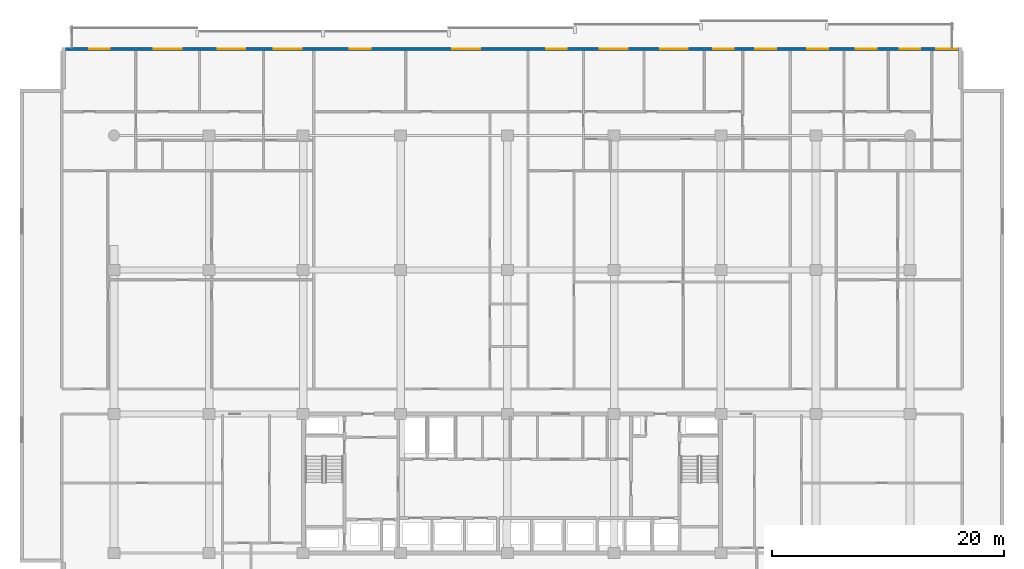
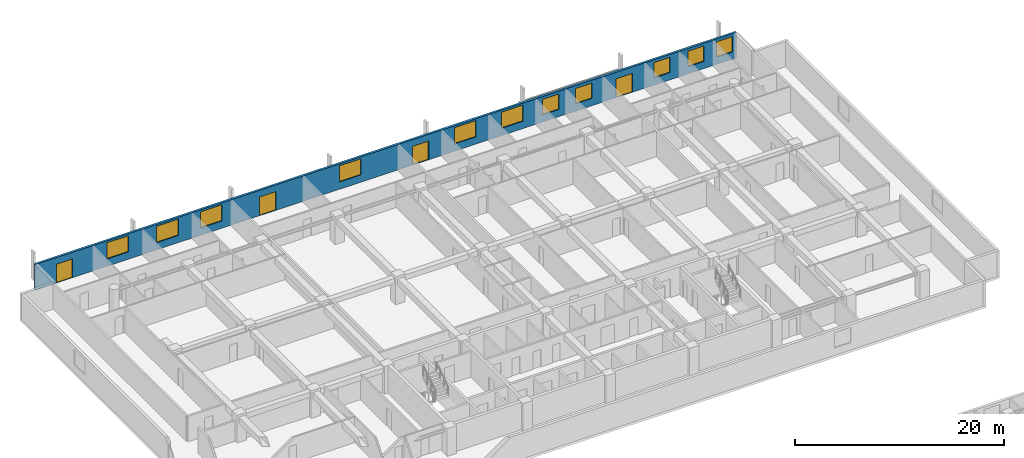
# One storey, part 16 of 23: 11 windows, 4 doors, 1 wall, 15 openings.
"""IFC4 building model written with IfcOpenShell, lengths in metres."""

from ifc_helpers import new_model, si_unit, direction, frame, frame_2d, origin, place, context, subcontext, project, spatial, rectangle, extrude, material, layer, layer_set, type_object, element, fill, save


model = new_model("IFC4")

# Units and contexts
model_context = context("Model", 3, precision=1e-05, world=origin(), true_north=direction((0.0, 1.0)))
body_context = subcontext(model_context, "Body", "Model", "MODEL_VIEW")
ifc_project = project(units=[si_unit("LENGTHUNIT", "METRE"), si_unit("AREAUNIT", "SQUARE_METRE"), si_unit("VOLUMEUNIT", "CUBIC_METRE"), si_unit("PLANEANGLEUNIT", "RADIAN"), si_unit("MASSUNIT", "GRAM", prefix="KILO")], contexts=[model_context])

# Site, building, storey
site_placement = place(None, origin())
site = spatial("IfcSite", under=ifc_project, at=site_placement, CompositionType="ELEMENT")
building_placement = place(site_placement, origin())
building = spatial("IfcBuilding", under=site, at=building_placement, Name="Korimba Cascade Residences", CompositionType="ELEMENT")
storey_placement = place(building_placement, frame((0.0, 0.0, 59.75)))
storey = spatial("IfcBuildingStorey", under=building, at=storey_placement, Name="L16", CompositionType="ELEMENT", Elevation=59.75)

# Wall, openings, doors, windows
ifc_material_1 = material(Name="Precast concrete C40/50", Category="concrete")
ifc_layer = layer(ifc_material_1, 0.25)
ifc_layer_set = layer_set([ifc_layer], Name="Precast concrete C40/50")
wall_type = type_object("IfcWallType", Name="EW-LOG-250", PredefinedType="STANDARD", material=ifc_layer_set)
wall_placement = place(storey_placement, frame((132.89990234375, 98.64990234375, 0.0), z_axis=(0.0, 0.0, 1.0), x_axis=(-1.0, 0.0, 0.0)))
wall = element("IfcWall", 1, at=wall_placement, inside=storey, type_object=wall_type, Name="L16 T1 Perimeter Stone Wall E06", PredefinedType="STANDARD", context=body_context, shape_type="SweptSolid", body=[
    extrude(rectangle(XDim=77.599853515625, YDim=0.25, at=frame_2d((38.7998046875, 0.0))), origin(), (0.0, 0.0, 1.0), 2.969970703125),
])
opening_1_placement = place(wall_placement, frame((67.271728515625, 0.0, 0.85009765625)))
opening_1 = element("IfcOpeningElement", 2, at=opening_1_placement, cuts=wall, Name="Opening W-01", PredefinedType="OPENING", context=body_context, shape_type="SweptSolid", body=[
    extrude(rectangle(XDim=2.39990234375, YDim=1.89990234375, at=frame_2d((1.199951171875, 0.949951171875))), frame((0.0, 0.135009765625, 0.0), z_axis=(0.0, -1.0, 0.0), x_axis=(1.0, 0.0, 0.0)), (0.0, 0.0, 1.0), 0.27001953125),
])
opening_2_placement = place(wall_placement, frame((61.77490234375, 0.0, 0.85009765625)))
opening_2 = element("IfcOpeningElement", 3, at=opening_2_placement, cuts=wall, Name="Opening W-01", PredefinedType="OPENING", context=body_context, shape_type="SweptSolid", body=[
    extrude(rectangle(XDim=2.39990234375, YDim=1.89990234375, at=frame_2d((1.199951171875, 0.949951171875))), frame((0.0, 0.135009765625, 0.0), z_axis=(0.0, -1.0, 0.0), x_axis=(1.0, 0.0, 0.0)), (0.0, 0.0, 1.0), 0.27001953125),
])
opening_3_placement = place(wall_placement, frame((73.449951171875, 0.0, 0.0)))
opening_3 = element("IfcOpeningElement", 4, at=opening_3_placement, cuts=wall, Name="Opening D-LG1", PredefinedType="OPENING", context=body_context, shape_type="SweptSolid", body=[
    extrude(rectangle(XDim=1.800048828125, YDim=2.199951171875, at=frame_2d((0.89990234375, 1.10009765625))), frame((0.0, 0.135009765625, 0.0), z_axis=(0.0, -1.0, 0.0), x_axis=(1.0, 0.0, 0.0)), (0.0, 0.0, 1.0), 0.27001953125),
])
opening_4_placement = place(wall_placement, frame((56.92138671875, 0.0, 0.85009765625)))
opening_4 = element("IfcOpeningElement", 5, at=opening_4_placement, cuts=wall, Name="Opening W-01", PredefinedType="OPENING", context=body_context, shape_type="SweptSolid", body=[
    extrude(rectangle(XDim=2.39990234375, YDim=1.89990234375, at=frame_2d((1.199951171875, 0.949951171875))), frame((0.0, 0.135009765625, 0.0), z_axis=(0.0, -1.0, 0.0), x_axis=(1.0, 0.0, 0.0)), (0.0, 0.0, 1.0), 0.27001953125),
])
opening_5_placement = place(wall_placement, frame((50.970703125, 0.0, 0.0)))
opening_5 = element("IfcOpeningElement", 6, at=opening_5_placement, cuts=wall, Name="Opening D-LG1", PredefinedType="OPENING", context=body_context, shape_type="SweptSolid", body=[
    extrude(rectangle(XDim=1.800048828125, YDim=2.199951171875, at=frame_2d((0.89990234375, 1.10009765625))), frame((0.0, 0.135009765625, 0.0), z_axis=(0.0, -1.0, 0.0), x_axis=(1.0, 0.0, 0.0)), (0.0, 0.0, 1.0), 0.27001953125),
])
opening_6_placement = place(wall_placement, frame((41.5537109375, 0.0, 0.85009765625)))
opening_6 = element("IfcOpeningElement", 7, at=opening_6_placement, cuts=wall, Name="Opening W-01", PredefinedType="OPENING", context=body_context, shape_type="SweptSolid", body=[
    extrude(rectangle(XDim=2.39990234375, YDim=1.89990234375, at=frame_2d((1.199951171875, 0.949951171875))), frame((0.0, 0.135009765625, 0.0), z_axis=(0.0, -1.0, 0.0), x_axis=(1.0, 0.0, 0.0)), (0.0, 0.0, 1.0), 0.27001953125),
])
opening_7_placement = place(wall_placement, frame((28.832763671875, 0.0, 0.85009765625)))
opening_7 = element("IfcOpeningElement", 8, at=opening_7_placement, cuts=wall, Name="Opening W-01", PredefinedType="OPENING", context=body_context, shape_type="SweptSolid", body=[
    extrude(rectangle(XDim=2.39990234375, YDim=1.89990234375, at=frame_2d((1.199951171875, 0.949951171875))), frame((0.0, 0.135009765625, 0.0), z_axis=(0.0, -1.0, 0.0), x_axis=(1.0, 0.0, 0.0)), (0.0, 0.0, 1.0), 0.27001953125),
])
opening_8_placement = place(wall_placement, frame((23.6328125, 0.0, 0.85009765625)))
opening_8 = element("IfcOpeningElement", 9, at=opening_8_placement, cuts=wall, Name="Opening W-01", PredefinedType="OPENING", context=body_context, shape_type="SweptSolid", body=[
    extrude(rectangle(XDim=2.39990234375, YDim=1.89990234375, at=frame_2d((1.199951171875, 0.949951171875))), frame((0.0, 0.135009765625, 0.0), z_axis=(0.0, -1.0, 0.0), x_axis=(1.0, 0.0, 0.0)), (0.0, 0.0, 1.0), 0.27001953125),
])
opening_9_placement = place(wall_placement, frame((19.67626953125, 0.0, 0.85009765625)))
opening_9 = element("IfcOpeningElement", 10, at=opening_9_placement, cuts=wall, Name="Opening W-02", PredefinedType="OPENING", context=body_context, shape_type="SweptSolid", body=[
    extrude(rectangle(XDim=1.800048828125, YDim=1.800048828125, at=frame_2d((0.89990234375, 0.89990234375))), frame((0.0, 0.135009765625, 0.0), z_axis=(0.0, -1.0, 0.0), x_axis=(1.0, 0.0, 0.0)), (0.0, 0.0, 1.0), 0.27001953125),
])
opening_10_placement = place(wall_placement, frame((34.067626953125, 0.0, 0.0)))
opening_10 = element("IfcOpeningElement", 11, at=opening_10_placement, cuts=wall, Name="Opening D-LG1", PredefinedType="OPENING", context=body_context, shape_type="SweptSolid", body=[
    extrude(rectangle(XDim=1.800048828125, YDim=2.199951171875, at=frame_2d((0.89990234375, 1.10009765625))), frame((0.0, 0.135009765625, 0.0), z_axis=(0.0, -1.0, 0.0), x_axis=(1.0, 0.0, 0.0)), (0.0, 0.0, 1.0), 0.27001953125),
])
opening_11_placement = place(wall_placement, frame((16.0283203125, 0.0, 0.85009765625)))
opening_11 = element("IfcOpeningElement", 12, at=opening_11_placement, cuts=wall, Name="Opening W-02", PredefinedType="OPENING", context=body_context, shape_type="SweptSolid", body=[
    extrude(rectangle(XDim=1.800048828125, YDim=1.800048828125, at=frame_2d((0.89990234375, 0.89990234375))), frame((0.0, 0.135009765625, 0.0), z_axis=(0.0, -1.0, 0.0), x_axis=(1.0, 0.0, 0.0)), (0.0, 0.0, 1.0), 0.27001953125),
])
opening_12_placement = place(wall_placement, frame((7.379150390625, 0.0, 0.85009765625)))
opening_12 = element("IfcOpeningElement", 13, at=opening_12_placement, cuts=wall, Name="Opening W-02", PredefinedType="OPENING", context=body_context, shape_type="SweptSolid", body=[
    extrude(rectangle(XDim=1.800048828125, YDim=1.800048828125, at=frame_2d((0.89990234375, 0.89990234375))), frame((0.0, 0.135009765625, 0.0), z_axis=(0.0, -1.0, 0.0), x_axis=(1.0, 0.0, 0.0)), (0.0, 0.0, 1.0), 0.27001953125),
])
opening_13_placement = place(wall_placement, frame((3.60009765625, 0.0, 0.85009765625)))
opening_13 = element("IfcOpeningElement", 14, at=opening_13_placement, cuts=wall, Name="Opening W-02", PredefinedType="OPENING", context=body_context, shape_type="SweptSolid", body=[
    extrude(rectangle(XDim=1.800048828125, YDim=1.800048828125, at=frame_2d((0.89990234375, 0.89990234375))), frame((0.0, 0.135009765625, 0.0), z_axis=(0.0, -1.0, 0.0), x_axis=(1.0, 0.0, 0.0)), (0.0, 0.0, 1.0), 0.27001953125),
])
opening_14_placement = place(wall_placement, frame((11.53759765625, 0.0, 0.0)))
opening_14 = element("IfcOpeningElement", 15, at=opening_14_placement, cuts=wall, Name="Opening D-LG1", PredefinedType="OPENING", context=body_context, shape_type="SweptSolid", body=[
    extrude(rectangle(XDim=1.800048828125, YDim=2.199951171875, at=frame_2d((0.89990234375, 1.10009765625))), frame((0.0, 0.135009765625, 0.0), z_axis=(0.0, -1.0, 0.0), x_axis=(1.0, 0.0, 0.0)), (0.0, 0.0, 1.0), 0.27001953125),
])
opening_15_placement = place(wall_placement, frame((0.445068359375, 0.0, 0.85009765625)))
opening_15 = element("IfcOpeningElement", 16, at=opening_15_placement, cuts=wall, Name="Opening W-02", PredefinedType="OPENING", context=body_context, shape_type="SweptSolid", body=[
    extrude(rectangle(XDim=1.800048828125, YDim=1.800048828125, at=frame_2d((0.89990234375, 0.89990234375))), frame((0.0, 0.135009765625, 0.0), z_axis=(0.0, -1.0, 0.0), x_axis=(1.0, 0.0, 0.0)), (0.0, 0.0, 1.0), 0.27001953125),
])
ifc_material_2 = material(Name="Glazed Aluminium Loggia Sliding Door", Category="aluminium")
door_type = type_object("IfcDoorType", Name="DR-EXT-LOG", OperationType="NOTDEFINED", PredefinedType="DOOR", material=ifc_material_2)
door_1_placement = place(opening_3_placement, origin())
door_1 = element("IfcDoor", 17, at=door_1_placement, inside=storey, type_object=door_type, Name="L16 T1 Loggia Sliding Door 5", OperationType="SLIDING_TO_LEFT", OverallHeight=2.199951171875, OverallWidth=1.800048828125, PredefinedType="DOOR", context=body_context, shape_type="SweptSolid", body=[
    extrude(rectangle(XDim=1.800048828125, YDim=2.199951171875, at=frame_2d((0.89990234375, 1.10009765625))), frame((0.0, 0.02490234375, 0.0), z_axis=(0.0, -1.0, 0.0), x_axis=(1.0, 0.0, 0.0)), (0.0, 0.0, 1.0), 0.050048828125),
])
fill(opening_3, door_1)
door_2_placement = place(opening_5_placement, origin())
door_2 = element("IfcDoor", 18, at=door_2_placement, inside=storey, type_object=door_type, Name="L16 T1 Loggia Sliding Door 7", OperationType="SLIDING_TO_LEFT", OverallHeight=2.199951171875, OverallWidth=1.800048828125, PredefinedType="DOOR", context=body_context, shape_type="SweptSolid", body=[
    extrude(rectangle(XDim=1.800048828125, YDim=2.199951171875, at=frame_2d((0.89990234375, 1.10009765625))), frame((0.0, 0.02490234375, 0.0), z_axis=(0.0, -1.0, 0.0), x_axis=(1.0, 0.0, 0.0)), (0.0, 0.0, 1.0), 0.050048828125),
])
fill(opening_5, door_2)
door_3_placement = place(opening_10_placement, origin())
door_3 = element("IfcDoor", 19, at=door_3_placement, inside=storey, type_object=door_type, Name="L16 T1 Loggia Sliding Door 12", OperationType="SLIDING_TO_LEFT", OverallHeight=2.199951171875, OverallWidth=1.800048828125, PredefinedType="DOOR", context=body_context, shape_type="SweptSolid", body=[
    extrude(rectangle(XDim=1.800048828125, YDim=2.199951171875, at=frame_2d((0.89990234375, 1.10009765625))), frame((0.0, 0.02490234375, 0.0), z_axis=(0.0, -1.0, 0.0), x_axis=(1.0, 0.0, 0.0)), (0.0, 0.0, 1.0), 0.050048828125),
])
fill(opening_10, door_3)
door_4_placement = place(opening_14_placement, origin())
door_4 = element("IfcDoor", 20, at=door_4_placement, inside=storey, type_object=door_type, Name="L16 T1 Loggia Sliding Door 16", OperationType="SLIDING_TO_LEFT", OverallHeight=2.199951171875, OverallWidth=1.800048828125, PredefinedType="DOOR", context=body_context, shape_type="SweptSolid", body=[
    extrude(rectangle(XDim=1.800048828125, YDim=2.199951171875, at=frame_2d((0.89990234375, 1.10009765625))), frame((0.0, 0.02490234375, 0.0), z_axis=(0.0, -1.0, 0.0), x_axis=(1.0, 0.0, 0.0)), (0.0, 0.0, 1.0), 0.050048828125),
])
fill(opening_14, door_4)
ifc_material_3 = material(Name="Double-Glazed Aluminium Window", Category="aluminium")
window_type_1 = type_object("IfcWindowType", Name="WIN-BED-1800", PartitioningType="SINGLE_PANEL", PredefinedType="WINDOW", material=ifc_material_3)
window_1_placement = place(opening_9_placement, origin())
window_1 = element("IfcWindow", 21, at=window_1_placement, inside=storey, type_object=window_type_1, Name="L16 T1 North Facade Window 11", OverallHeight=1.800048828125, OverallWidth=1.800048828125, PartitioningType="SINGLE_PANEL", PredefinedType="WINDOW", context=body_context, shape_type="SweptSolid", body=[
    extrude(rectangle(XDim=1.800048828125, YDim=1.800048828125, at=frame_2d((0.89990234375, 0.89990234375))), frame((0.0, 0.030029296875, 0.0), z_axis=(0.0, -1.0, 0.0), x_axis=(1.0, 0.0, 0.0)), (0.0, 0.0, 1.0), 0.06005859375),
])
fill(opening_9, window_1)
window_2_placement = place(opening_11_placement, origin())
window_2 = element("IfcWindow", 22, at=window_2_placement, inside=storey, type_object=window_type_1, Name="L16 T1 North Facade Window 13", OverallHeight=1.800048828125, OverallWidth=1.800048828125, PartitioningType="SINGLE_PANEL", PredefinedType="WINDOW", context=body_context, shape_type="SweptSolid", body=[
    extrude(rectangle(XDim=1.800048828125, YDim=1.800048828125, at=frame_2d((0.89990234375, 0.89990234375))), frame((0.0, 0.030029296875, 0.0), z_axis=(0.0, -1.0, 0.0), x_axis=(1.0, 0.0, 0.0)), (0.0, 0.0, 1.0), 0.06005859375),
])
fill(opening_11, window_2)
window_3_placement = place(opening_12_placement, origin())
window_3 = element("IfcWindow", 23, at=window_3_placement, inside=storey, type_object=window_type_1, Name="L16 T1 North Facade Window 14", OverallHeight=1.800048828125, OverallWidth=1.800048828125, PartitioningType="SINGLE_PANEL", PredefinedType="WINDOW", context=body_context, shape_type="SweptSolid", body=[
    extrude(rectangle(XDim=1.800048828125, YDim=1.800048828125, at=frame_2d((0.89990234375, 0.89990234375))), frame((0.0, 0.030029296875, 0.0), z_axis=(0.0, -1.0, 0.0), x_axis=(1.0, 0.0, 0.0)), (0.0, 0.0, 1.0), 0.06005859375),
])
fill(opening_12, window_3)
window_4_placement = place(opening_13_placement, origin())
window_4 = element("IfcWindow", 24, at=window_4_placement, inside=storey, type_object=window_type_1, Name="L16 T1 North Facade Window 15", OverallHeight=1.800048828125, OverallWidth=1.800048828125, PartitioningType="SINGLE_PANEL", PredefinedType="WINDOW", context=body_context, shape_type="SweptSolid", body=[
    extrude(rectangle(XDim=1.800048828125, YDim=1.800048828125, at=frame_2d((0.89990234375, 0.89990234375))), frame((0.0, 0.030029296875, 0.0), z_axis=(0.0, -1.0, 0.0), x_axis=(1.0, 0.0, 0.0)), (0.0, 0.0, 1.0), 0.06005859375),
])
fill(opening_13, window_4)
window_5_placement = place(opening_15_placement, origin())
window_5 = element("IfcWindow", 25, at=window_5_placement, inside=storey, type_object=window_type_1, Name="L16 T1 North Facade Window 17", OverallHeight=1.800048828125, OverallWidth=1.800048828125, PartitioningType="SINGLE_PANEL", PredefinedType="WINDOW", context=body_context, shape_type="SweptSolid", body=[
    extrude(rectangle(XDim=1.800048828125, YDim=1.800048828125, at=frame_2d((0.89990234375, 0.89990234375))), frame((0.0, 0.030029296875, 0.0), z_axis=(0.0, -1.0, 0.0), x_axis=(1.0, 0.0, 0.0)), (0.0, 0.0, 1.0), 0.06005859375),
])
fill(opening_15, window_5)
window_type_2 = type_object("IfcWindowType", Name="WIN-RES-2400", PartitioningType="DOUBLE_PANEL_VERTICAL", PredefinedType="WINDOW", material=ifc_material_3)
window_6_placement = place(opening_1_placement, origin())
window_6 = element("IfcWindow", 26, at=window_6_placement, inside=storey, type_object=window_type_2, Name="L16 T1 North Facade Window 3", OverallHeight=1.89990234375, OverallWidth=2.39990234375, PartitioningType="DOUBLE_PANEL_VERTICAL", PredefinedType="WINDOW", context=body_context, shape_type="SweptSolid", body=[
    extrude(rectangle(XDim=2.39990234375, YDim=1.89990234375, at=frame_2d((1.199951171875, 0.949951171875))), frame((0.0, 0.030029296875, 0.0), z_axis=(0.0, -1.0, 0.0), x_axis=(1.0, 0.0, 0.0)), (0.0, 0.0, 1.0), 0.06005859375),
])
fill(opening_1, window_6)
window_7_placement = place(opening_2_placement, origin())
window_7 = element("IfcWindow", 27, at=window_7_placement, inside=storey, type_object=window_type_2, Name="L16 T1 North Facade Window 4", OverallHeight=1.89990234375, OverallWidth=2.39990234375, PartitioningType="DOUBLE_PANEL_VERTICAL", PredefinedType="WINDOW", context=body_context, shape_type="SweptSolid", body=[
    extrude(rectangle(XDim=2.39990234375, YDim=1.89990234375, at=frame_2d((1.199951171875, 0.949951171875))), frame((0.0, 0.030029296875, 0.0), z_axis=(0.0, -1.0, 0.0), x_axis=(1.0, 0.0, 0.0)), (0.0, 0.0, 1.0), 0.06005859375),
])
fill(opening_2, window_7)
window_8_placement = place(opening_4_placement, origin())
window_8 = element("IfcWindow", 28, at=window_8_placement, inside=storey, type_object=window_type_2, Name="L16 T1 North Facade Window 6", OverallHeight=1.89990234375, OverallWidth=2.39990234375, PartitioningType="DOUBLE_PANEL_VERTICAL", PredefinedType="WINDOW", context=body_context, shape_type="SweptSolid", body=[
    extrude(rectangle(XDim=2.39990234375, YDim=1.89990234375, at=frame_2d((1.199951171875, 0.949951171875))), frame((0.0, 0.030029296875, 0.0), z_axis=(0.0, -1.0, 0.0), x_axis=(1.0, 0.0, 0.0)), (0.0, 0.0, 1.0), 0.06005859375),
])
fill(opening_4, window_8)
window_9_placement = place(opening_6_placement, origin())
window_9 = element("IfcWindow", 29, at=window_9_placement, inside=storey, type_object=window_type_2, Name="L16 T1 North Facade Window 8", OverallHeight=1.89990234375, OverallWidth=2.39990234375, PartitioningType="DOUBLE_PANEL_VERTICAL", PredefinedType="WINDOW", context=body_context, shape_type="SweptSolid", body=[
    extrude(rectangle(XDim=2.39990234375, YDim=1.89990234375, at=frame_2d((1.199951171875, 0.949951171875))), frame((0.0, 0.030029296875, 0.0), z_axis=(0.0, -1.0, 0.0), x_axis=(1.0, 0.0, 0.0)), (0.0, 0.0, 1.0), 0.06005859375),
])
fill(opening_6, window_9)
window_10_placement = place(opening_7_placement, origin())
window_10 = element("IfcWindow", 30, at=window_10_placement, inside=storey, type_object=window_type_2, Name="L16 T1 North Facade Window 9", OverallHeight=1.89990234375, OverallWidth=2.39990234375, PartitioningType="DOUBLE_PANEL_VERTICAL", PredefinedType="WINDOW", context=body_context, shape_type="SweptSolid", body=[
    extrude(rectangle(XDim=2.39990234375, YDim=1.89990234375, at=frame_2d((1.199951171875, 0.949951171875))), frame((0.0, 0.030029296875, 0.0), z_axis=(0.0, -1.0, 0.0), x_axis=(1.0, 0.0, 0.0)), (0.0, 0.0, 1.0), 0.06005859375),
])
fill(opening_7, window_10)
window_11_placement = place(opening_8_placement, origin())
window_11 = element("IfcWindow", 31, at=window_11_placement, inside=storey, type_object=window_type_2, Name="L16 T1 North Facade Window 10", OverallHeight=1.89990234375, OverallWidth=2.39990234375, PartitioningType="DOUBLE_PANEL_VERTICAL", PredefinedType="WINDOW", context=body_context, shape_type="SweptSolid", body=[
    extrude(rectangle(XDim=2.39990234375, YDim=1.89990234375, at=frame_2d((1.199951171875, 0.949951171875))), frame((0.0, 0.030029296875, 0.0), z_axis=(0.0, -1.0, 0.0), x_axis=(1.0, 0.0, 0.0)), (0.0, 0.0, 1.0), 0.06005859375),
])
fill(opening_8, window_11)

save(model, "model.ifc")
